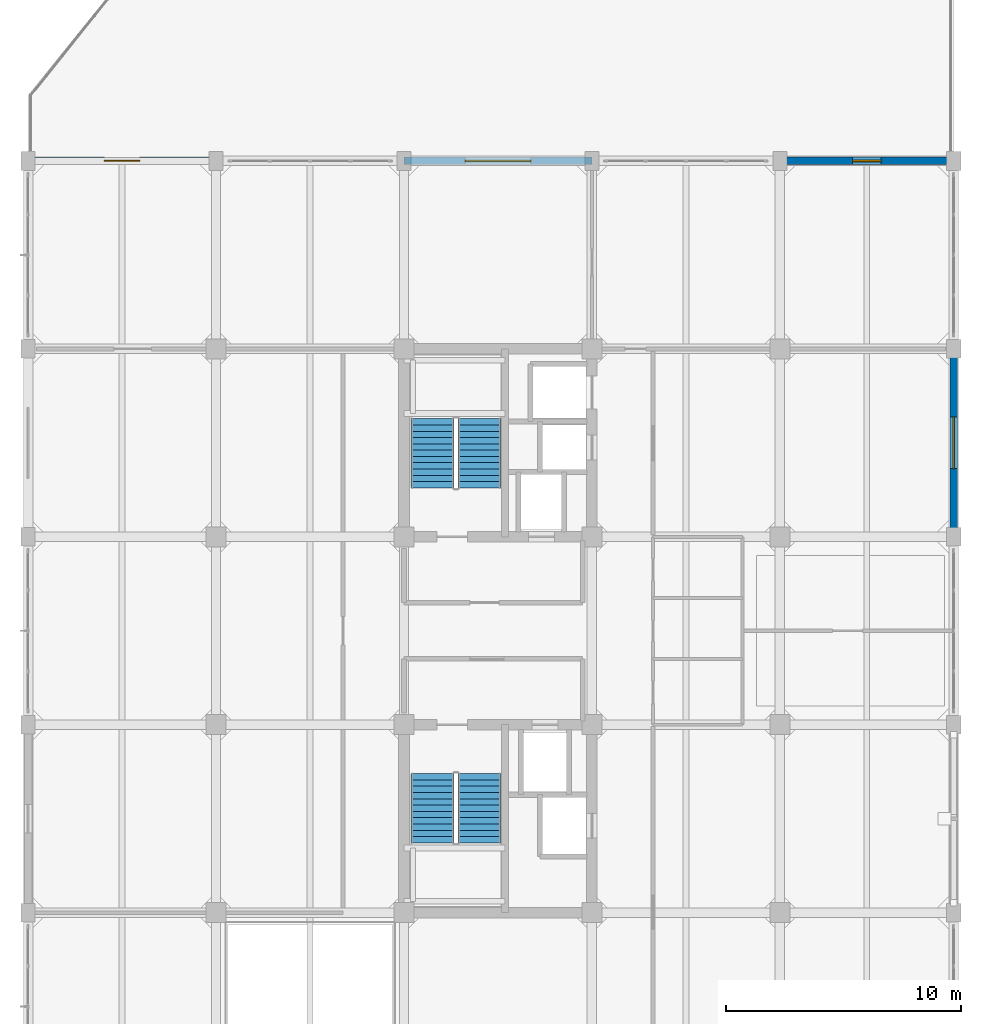
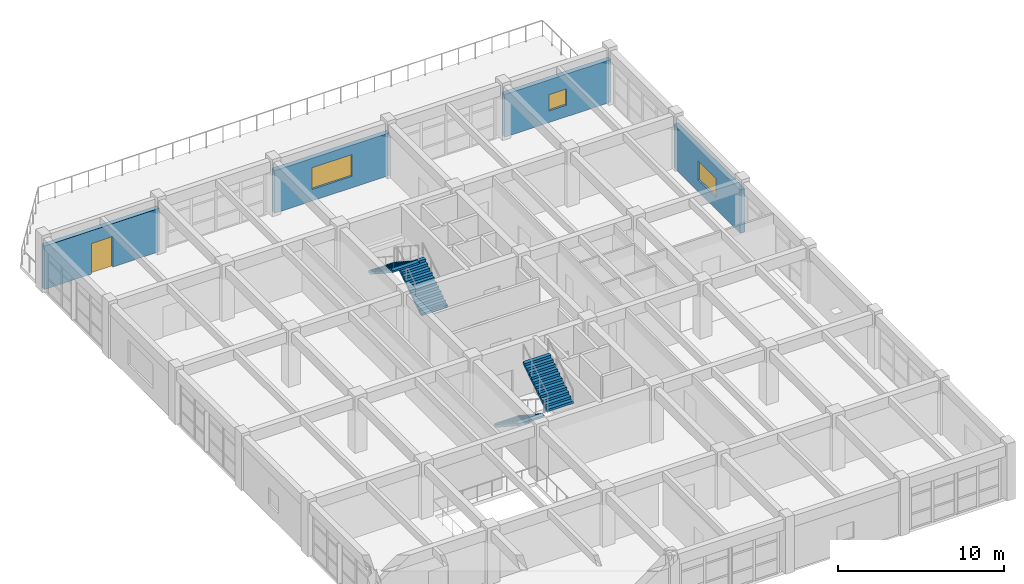
# One storey, part 26 of 30: 4 stair flights, 4 walls, 3 windows, 1 door, 4 openings, 2 elements without a shape of their own.
"""IFC4 building model written with IfcOpenShell, lengths in metres."""

from ifc_helpers import new_model, si_unit, direction, frame, frame_2d, origin, place, context, subcontext, project, spatial, polyline, rectangle, outline, extrude, material, layer, layer_set, type_object, element, fill, aggregate, save


model = new_model("IFC4")

# Units and contexts
model_context = context("Model", 3, precision=1e-05, world=origin(), true_north=direction((0.0, 1.0)))
body_context = subcontext(model_context, "Body", "Model", "MODEL_VIEW")
ifc_project = project(units=[si_unit("LENGTHUNIT", "METRE"), si_unit("AREAUNIT", "SQUARE_METRE"), si_unit("VOLUMEUNIT", "CUBIC_METRE"), si_unit("PLANEANGLEUNIT", "RADIAN"), si_unit("MASSUNIT", "GRAM", prefix="KILO")], contexts=[model_context])

# Site, building, storey
site_placement = place(None, origin())
site = spatial("IfcSite", under=ifc_project, at=site_placement, CompositionType="ELEMENT")
building_placement = place(site_placement, origin())
building = spatial("IfcBuilding", under=site, at=building_placement, Name="Canggui Botanical Conservatory", CompositionType="ELEMENT")
storey_placement = place(building_placement, frame((0.0, 0.0, 19.199951171875)))
storey = spatial("IfcBuildingStorey", under=building, at=storey_placement, Name="L05", CompositionType="ELEMENT", Elevation=19.199951171875)

# Wall, opening, door
ifc_material_1 = material(Name="Precast Concrete C40", Category="concrete")
ifc_layer = layer(ifc_material_1, 0.320068359375, Name="Precast Concrete C40", Category="concrete")
ifc_layer_set = layer_set([ifc_layer], Name="Precast Concrete C40")
wall_type = type_object("IfcWallType", Name="EW-320", PredefinedType="STANDARD", material=ifc_layer_set)
wall_1_placement = place(storey_placement, frame((138.0, 74.0, 0.0), z_axis=(0.0, 0.0, 1.0), x_axis=(1.0, 0.0, 0.0)))
wall_1 = element("IfcWall", 1, at=wall_1_placement, inside=storey, type_object=wall_type, Name="Tower Insulated Exterior Wall L05-N12", PredefinedType="STANDARD", context=body_context, shape_type="SweptSolid", body=[
    extrude(rectangle(XDim=8.0, YDim=0.320068359375, at=frame_2d((4.0, 0.0))), origin(), (0.0, 0.0, 1.0), 3.18994140625),
])
opening_1_placement = place(wall_1_placement, frame((3.25, 0.0, 0.0)))
opening_1 = element("IfcOpeningElement", 2, at=opening_1_placement, cuts=wall_1, Name="Opening TD-01", PredefinedType="OPENING", context=body_context, shape_type="SweptSolid", body=[
    extrude(rectangle(XDim=1.5, YDim=2.25, at=frame_2d((0.75, 1.125))), frame((0.0, 0.169921875, 0.0), z_axis=(0.0, -1.0, 0.0), x_axis=(1.0, 0.0, 0.0)), (0.0, 0.0, 1.0), 0.340087890625),
])
ifc_material_2 = material(Name="Anodised Aluminium", Category="aluminium")
door_type = type_object("IfcDoorType", Name="EDR-TER15", OperationType="NOTDEFINED", PredefinedType="DOOR", material=ifc_material_2)
door_placement = place(opening_1_placement, origin())
door = element("IfcDoor", 3, at=door_placement, inside=storey, type_object=door_type, Name="Sky Terrace Access Door L05", OperationType="SINGLE_SWING_LEFT", OverallHeight=2.25, OverallWidth=1.5, PredefinedType="DOOR", context=body_context, shape_type="SweptSolid", body=[
    extrude(rectangle(XDim=1.5, YDim=2.25, at=frame_2d((0.75, 1.125))), frame((0.0, 0.02490234375, 0.0), z_axis=(0.0, -1.0, 0.0), x_axis=(1.0, 0.0, 0.0)), (0.0, 0.0, 1.0), 0.050048828125),
])
fill(opening_1, door)

# Wall, opening, window
wall_2_placement = place(storey_placement, frame((154.0, 74.0, 0.0), z_axis=(0.0, 0.0, 1.0), x_axis=(1.0, 0.0, 0.0)))
wall_2 = element("IfcWall", 4, at=wall_2_placement, inside=storey, type_object=wall_type, Name="Tower Insulated Exterior Wall L05-N14", PredefinedType="STANDARD", context=body_context, shape_type="SweptSolid", body=[
    extrude(rectangle(XDim=8.0, YDim=0.320068359375, at=frame_2d((4.0, 0.0))), origin(), (0.0, 0.0, 1.0), 3.14013671875),
])
opening_2_placement = place(wall_2_placement, frame((2.60009765625, 0.0, 0.85009765625)))
opening_2 = element("IfcOpeningElement", 5, at=opening_2_placement, cuts=wall_2, Name="Opening W-08", PredefinedType="OPENING", context=body_context, shape_type="SweptSolid", body=[
    extrude(rectangle(XDim=2.800048828125, YDim=1.60009765625, at=frame_2d((1.39990234375, 0.800048828125))), frame((0.0, 0.169921875, 0.0), z_axis=(0.0, -1.0, 0.0), x_axis=(1.0, 0.0, 0.0)), (0.0, 0.0, 1.0), 0.340087890625),
])
ifc_material_3 = material(Name="Low-E Insulated Glass", Category="glass")
window_type_1 = type_object("IfcWindowType", Name="WIN-08", PartitioningType="TRIPLE_PANEL_VERTICAL", PredefinedType="WINDOW", material=ifc_material_3)
window_1_placement = place(opening_2_placement, origin())
window_1 = element("IfcWindow", 6, at=window_1_placement, inside=storey, type_object=window_type_1, Name="Tower Window L05-14", OverallHeight=1.60009765625, OverallWidth=2.800048828125, PartitioningType="SINGLE_PANEL", PredefinedType="WINDOW", context=body_context, shape_type="SweptSolid", body=[
    extrude(rectangle(XDim=2.800048828125, YDim=1.60009765625, at=frame_2d((1.39990234375, 0.800048828125))), frame((0.0, 0.030029296875, 0.0), z_axis=(0.0, -1.0, 0.0), x_axis=(1.0, 0.0, 0.0)), (0.0, 0.0, 1.0), 0.06005859375),
])
fill(opening_2, window_1)

wall_3_placement = place(storey_placement, frame((170.0, 74.0, 0.0), z_axis=(0.0, 0.0, 1.0), x_axis=(1.0, 0.0, 0.0)))
wall_3 = element("IfcWall", 7, at=wall_3_placement, inside=storey, type_object=wall_type, Name="Tower Insulated Exterior Wall L05-N16", PredefinedType="STANDARD", context=body_context, shape_type="SweptSolid", body=[
    extrude(rectangle(XDim=7.39990234375, YDim=0.320068359375, at=frame_2d((3.699951171875, 0.0))), origin(), (0.0, 0.0, 1.0), 3.14013671875),
])
opening_3_placement = place(wall_3_placement, frame((3.10009765625, 0.0, 0.85009765625)))
opening_3 = element("IfcOpeningElement", 8, at=opening_3_placement, cuts=wall_3, Name="Opening W-06", PredefinedType="OPENING", context=body_context, shape_type="SweptSolid", body=[
    extrude(rectangle(XDim=1.199951171875, YDim=1.199951171875, at=frame_2d((0.60009765625, 0.60009765625))), frame((0.0, 0.169921875, 0.0), z_axis=(0.0, -1.0, 0.0), x_axis=(1.0, 0.0, 0.0)), (0.0, 0.0, 1.0), 0.340087890625),
])
window_type_2 = type_object("IfcWindowType", Name="WIN-06", PartitioningType="SINGLE_PANEL", PredefinedType="WINDOW", material=ifc_material_3)
window_2_placement = place(opening_3_placement, origin())
window_2 = element("IfcWindow", 9, at=window_2_placement, inside=storey, type_object=window_type_2, Name="Tower Firefighter Rescue Window L05-16", OverallHeight=1.199951171875, OverallWidth=1.199951171875, PartitioningType="SINGLE_PANEL", PredefinedType="WINDOW", context=body_context, shape_type="SweptSolid", body=[
    extrude(rectangle(XDim=1.199951171875, YDim=1.199951171875, at=frame_2d((0.60009765625, 0.60009765625))), frame((0.0, 0.030029296875, 0.0), z_axis=(0.0, -1.0, 0.0), x_axis=(1.0, 0.0, 0.0)), (0.0, 0.0, 1.0), 0.06005859375),
])
fill(opening_3, window_2)

wall_4_placement = place(storey_placement, frame((177.39990234375, 66.0, 0.0), z_axis=(0.0, 0.0, 1.0), x_axis=(0.0, -1.0, 0.0)))
wall_4 = element("IfcWall", 10, at=wall_4_placement, inside=storey, type_object=wall_type, Name="Tower Insulated Exterior Wall L05-E18", PredefinedType="STANDARD", context=body_context, shape_type="SweptSolid", body=[
    extrude(rectangle(XDim=8.0, YDim=0.320068359375, at=frame_2d((4.0, 0.0))), origin(), (0.0, 0.0, 1.0), 3.18994140625),
])
opening_4_placement = place(wall_4_placement, frame((2.89990234375, 0.0, 0.85009765625)))
opening_4 = element("IfcOpeningElement", 11, at=opening_4_placement, cuts=wall_4, Name="Opening W-10", PredefinedType="OPENING", context=body_context, shape_type="SweptSolid", body=[
    extrude(rectangle(XDim=2.199951171875, YDim=1.39990234375, at=frame_2d((1.10009765625, 0.699951171875))), frame((0.0, 0.169921875, 0.0), z_axis=(0.0, -1.0, 0.0), x_axis=(1.0, 0.0, 0.0)), (0.0, 0.0, 1.0), 0.340087890625),
])
window_type_3 = type_object("IfcWindowType", Name="WIN-10", PartitioningType="DOUBLE_PANEL_VERTICAL", PredefinedType="WINDOW", material=ifc_material_3)
window_3_placement = place(opening_4_placement, origin())
window_3 = element("IfcWindow", 12, at=window_3_placement, inside=storey, type_object=window_type_3, Name="Tower Window L05-18", OverallHeight=1.39990234375, OverallWidth=2.199951171875, PartitioningType="SINGLE_PANEL", PredefinedType="WINDOW", context=body_context, shape_type="SweptSolid", body=[
    extrude(rectangle(XDim=2.199951171875, YDim=1.39990234375, at=frame_2d((1.10009765625, 0.699951171875))), frame((0.0, 0.030029296875, 0.0), z_axis=(0.0, -1.0, 0.0), x_axis=(1.0, 0.0, 0.0)), (0.0, 0.0, 1.0), 0.06005859375),
])
fill(opening_4, window_3)

# Stair, stair flights
ifc_material_4 = material(Name="Concrete C35", Category="concrete")
stair_type = type_object("IfcStairType", Name="STR-TYPE-6", PredefinedType="HALF_TURN_STAIR", material=ifc_material_4)
stair_1_placement = place(storey_placement, origin())
stair_1 = element("IfcStair", 13, at=stair_1_placement, inside=storey, type_object=stair_type, Name="L05 Tower South Smoke-Proof Stair ST-T1", PredefinedType="HALF_TURN_STAIR")
stair_flight_type = type_object("IfcStairFlightType", Name="SFL-TYPE-6", PredefinedType="STRAIGHT", material=ifc_material_4)
stair_flight_1_placement = place(storey_placement, frame((155.2099609375, 47.919921875, 0.0), z_axis=(0.0, 0.0, 1.0), x_axis=(0.0, -1.0, 0.0)))
stair_flight_1 = element("IfcStairFlight", 14, at=stair_flight_1_placement, type_object=stair_flight_type, Name="ST-T1 flight 1", NumberOfRisers=12, NumberOfTreads=11, PredefinedType="STRAIGHT", RiserHeight=0.175, TreadLength=0.268, context=body_context, shape_type="SweptSolid", body=[
    extrude(outline(polyline([(0.0, 0.0), (0.0, 0.175048828125), (0.26806640625, 0.175048828125), (0.26806640625, 0.35009765625), (0.535888671875, 0.35009765625), (0.535888671875, 0.52490234375), (0.803955078125, 0.52490234375), (0.803955078125, 0.699951171875), (1.072021484375, 0.699951171875), (1.072021484375, 0.875), (1.340087890625, 0.875), (1.340087890625, 1.050048828125), (1.60791015625, 1.050048828125), (1.60791015625, 1.22509765625), (1.8759765625, 1.22509765625), (1.8759765625, 1.39990234375), (2.14404296875, 1.39990234375), (2.14404296875, 1.574951171875), (2.412109375, 1.574951171875), (2.412109375, 1.75), (2.679931640625, 1.75), (2.679931640625, 1.925048828125), (2.947998046875, 1.925048828125), (2.947998046875, 2.10009765625), (2.947998046875, 1.781494140625), (0.2197265625, 0.0), (0.0, 0.0)])), frame((0.0, 0.91015625, 0.0), z_axis=(0.0, -1.0, 0.0), x_axis=(1.0, 0.0, 0.0)), (0.0, 0.0, 1.0), 1.820068359375),
])
stair_flight_2_placement = place(storey_placement, frame((157.2099609375, 44.971923828125, 2.10009765625), z_axis=(0.0, 0.0, 1.0), x_axis=(0.0, 1.0, 0.0)))
stair_flight_2 = element("IfcStairFlight", 15, at=stair_flight_2_placement, type_object=stair_flight_type, Name="ST-T1 flight 2", NumberOfRisers=12, NumberOfTreads=11, PredefinedType="STRAIGHT", RiserHeight=0.175, TreadLength=0.268, context=body_context, shape_type="SweptSolid", body=[
    extrude(outline(polyline([(0.0, 0.0), (0.0, 0.175048828125), (0.26806640625, 0.175048828125), (0.26806640625, 0.35009765625), (0.535888671875, 0.35009765625), (0.535888671875, 0.52490234375), (0.803955078125, 0.52490234375), (0.803955078125, 0.699951171875), (1.072021484375, 0.699951171875), (1.072021484375, 0.875), (1.340087890625, 0.875), (1.340087890625, 1.050048828125), (1.60791015625, 1.050048828125), (1.60791015625, 1.22509765625), (1.8759765625, 1.22509765625), (1.8759765625, 1.39990234375), (2.14404296875, 1.39990234375), (2.14404296875, 1.574951171875), (2.412109375, 1.574951171875), (2.412109375, 1.75), (2.679931640625, 1.75), (2.679931640625, 1.925048828125), (2.947998046875, 1.925048828125), (2.947998046875, 2.10009765625), (2.947998046875, 1.781494140625), (0.2197265625, 0.0), (0.0, 0.0)])), frame((0.0, 0.91015625, 0.0), z_axis=(0.0, -1.0, 0.0), x_axis=(1.0, 0.0, 0.0)), (0.0, 0.0, 1.0), 1.820068359375),
])
aggregate(stair_1, [stair_flight_1, stair_flight_2])

stair_2_placement = place(storey_placement, origin())
stair_2 = element("IfcStair", 16, at=stair_2_placement, inside=storey, type_object=stair_type, Name="L05 Tower North Smoke-Proof Stair ST-T2", PredefinedType="HALF_TURN_STAIR")
stair_flight_3_placement = place(storey_placement, frame((157.2099609375, 60.080078125, 0.0), z_axis=(0.0, 0.0, 1.0), x_axis=(0.0, 1.0, 0.0)))
stair_flight_3 = element("IfcStairFlight", 17, at=stair_flight_3_placement, type_object=stair_flight_type, Name="ST-T2 flight 1", NumberOfRisers=12, NumberOfTreads=11, PredefinedType="STRAIGHT", RiserHeight=0.175, TreadLength=0.268, context=body_context, shape_type="SweptSolid", body=[
    extrude(outline(polyline([(0.0, 0.0), (0.0, 0.175048828125), (0.26806640625, 0.175048828125), (0.26806640625, 0.35009765625), (0.535888671875, 0.35009765625), (0.535888671875, 0.52490234375), (0.803955078125, 0.52490234375), (0.803955078125, 0.699951171875), (1.072021484375, 0.699951171875), (1.072021484375, 0.875), (1.340087890625, 0.875), (1.340087890625, 1.050048828125), (1.60791015625, 1.050048828125), (1.60791015625, 1.22509765625), (1.8759765625, 1.22509765625), (1.8759765625, 1.39990234375), (2.14404296875, 1.39990234375), (2.14404296875, 1.574951171875), (2.412109375, 1.574951171875), (2.412109375, 1.75), (2.679931640625, 1.75), (2.679931640625, 1.925048828125), (2.947998046875, 1.925048828125), (2.947998046875, 2.10009765625), (2.947998046875, 1.781494140625), (0.2197265625, 0.0), (0.0, 0.0)])), frame((0.0, 0.91015625, 0.0), z_axis=(0.0, -1.0, 0.0), x_axis=(1.0, 0.0, 0.0)), (0.0, 0.0, 1.0), 1.820068359375),
])
stair_flight_4_placement = place(storey_placement, frame((155.2099609375, 63.028076171875, 2.10009765625), z_axis=(0.0, 0.0, 1.0), x_axis=(0.0, -1.0, 0.0)))
stair_flight_4 = element("IfcStairFlight", 18, at=stair_flight_4_placement, type_object=stair_flight_type, Name="ST-T2 flight 2", NumberOfRisers=12, NumberOfTreads=11, PredefinedType="STRAIGHT", RiserHeight=0.175, TreadLength=0.268, context=body_context, shape_type="SweptSolid", body=[
    extrude(outline(polyline([(0.0, 0.0), (0.0, 0.175048828125), (0.26806640625, 0.175048828125), (0.26806640625, 0.35009765625), (0.535888671875, 0.35009765625), (0.535888671875, 0.52490234375), (0.803955078125, 0.52490234375), (0.803955078125, 0.699951171875), (1.072021484375, 0.699951171875), (1.072021484375, 0.875), (1.340087890625, 0.875), (1.340087890625, 1.050048828125), (1.60791015625, 1.050048828125), (1.60791015625, 1.22509765625), (1.8759765625, 1.22509765625), (1.8759765625, 1.39990234375), (2.14404296875, 1.39990234375), (2.14404296875, 1.574951171875), (2.412109375, 1.574951171875), (2.412109375, 1.75), (2.679931640625, 1.75), (2.679931640625, 1.925048828125), (2.947998046875, 1.925048828125), (2.947998046875, 2.10009765625), (2.947998046875, 1.781494140625), (0.2197265625, 0.0), (0.0, 0.0)])), frame((0.0, 0.91015625, 0.0), z_axis=(0.0, -1.0, 0.0), x_axis=(1.0, 0.0, 0.0)), (0.0, 0.0, 1.0), 1.820068359375),
])
aggregate(stair_2, [stair_flight_3, stair_flight_4])

save(model, "model.ifc")
